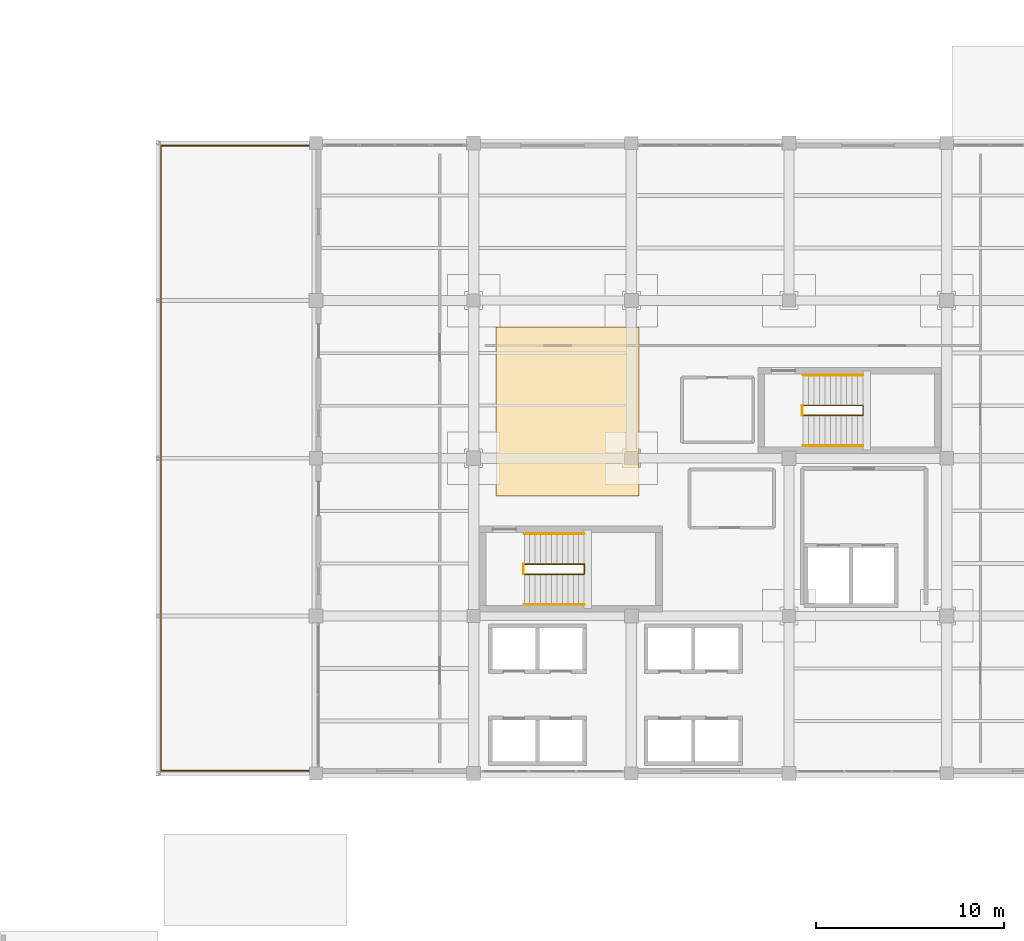
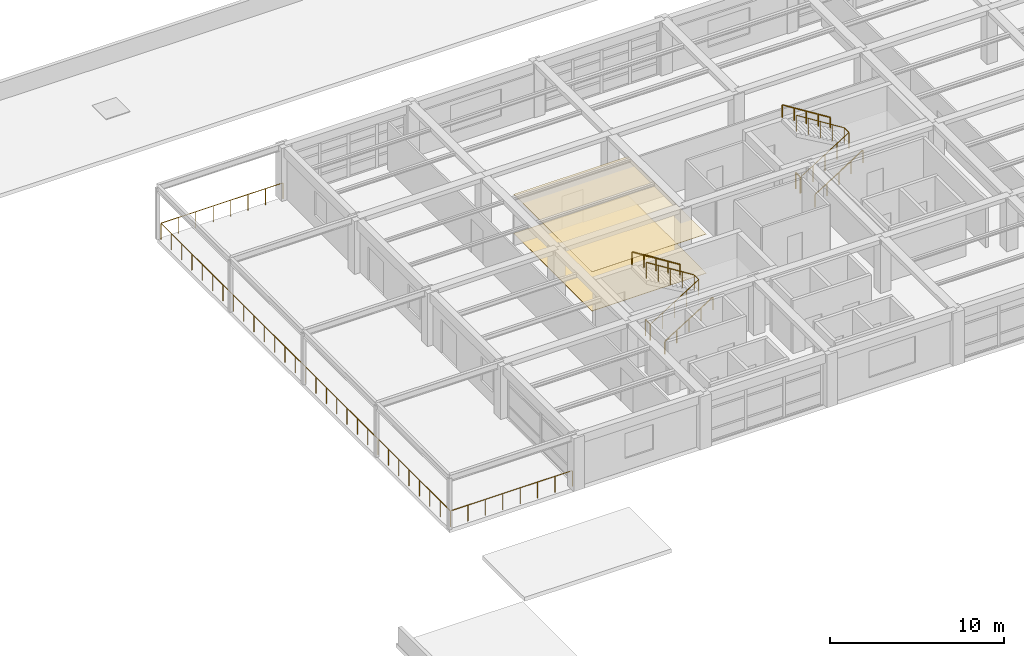
# One storey, part 35 of 35: 9 railings, 2 coverings.
"""IFC4 building model written with IfcOpenShell, lengths in metres."""

from ifc_helpers import new_model, si_unit, direction, frame, origin, origin_2d, place, context, subcontext, project, spatial, polyline, circle, outline, extrude, material, layer, layer_set, type_object, element, save


model = new_model("IFC4")

# Units and contexts
model_context = context("Model", 3, precision=1e-05, world=origin(), true_north=direction((0.0, 1.0)))
body_context = subcontext(model_context, "Body", "Model", "MODEL_VIEW")
ifc_project = project(units=[si_unit("LENGTHUNIT", "METRE"), si_unit("AREAUNIT", "SQUARE_METRE"), si_unit("VOLUMEUNIT", "CUBIC_METRE"), si_unit("PLANEANGLEUNIT", "RADIAN"), si_unit("MASSUNIT", "GRAM", prefix="KILO")], contexts=[model_context])

# Site, building, storey
site_placement = place(None, origin())
site = spatial("IfcSite", under=ifc_project, at=site_placement, CompositionType="ELEMENT")
building_placement = place(site_placement, origin())
building = spatial("IfcBuilding", under=site, at=building_placement, Name="Almacenes y Pasaje Nevantli", CompositionType="ELEMENT")
storey_placement = place(building_placement, frame((0.0, 0.0, 26.699951171875)))
storey = spatial("IfcBuildingStorey", under=building, at=storey_placement, Name="L06", CompositionType="ELEMENT", Elevation=26.699951171875)

# Coverings
ifc_material_1 = material(Name="Perforated Acoustic Mineral Fiber Ceiling", Category="gypsum")
ifc_layer_1 = layer(ifc_material_1, 0.02001953125)
ifc_layer_set_1 = layer_set([ifc_layer_1], Name="Perforated Acoustic Mineral Fiber Ceiling")
covering_type_1 = type_object("IfcCoveringType", Name="COV-CEIL-ACU", PredefinedType="CEILING", material=ifc_layer_set_1)
covering_1_placement = place(storey_placement, frame((0.0, 0.0, 2.75)))
element("IfcCovering", 1, at=covering_1_placement, inside=storey, type_object=covering_type_1, Name="L06 Suspended Acoustic Ceiling Panel", PredefinedType="CEILING", context=body_context, shape_type="SweptSolid", body=[
    extrude(outline(polyline([(118.800048828125, 82.0), (126.39990234375, 82.0), (126.39990234375, 91.0), (118.800048828125, 91.0), (118.800048828125, 82.0)])), origin(), (0.0, 0.0, 1.0), 0.02001953125),
])
ifc_material_2 = material(Name="Polished Toluca Stone Terrazzo Flooring", Category="masonry")
ifc_layer_2 = layer(ifc_material_2, 0.02490234375)
ifc_layer_set_2 = layer_set([ifc_layer_2], Name="Polished Toluca Stone Terrazzo Flooring")
covering_type_2 = type_object("IfcCoveringType", Name="COV-FLR-TERRAZZO", PredefinedType="FLOORING", material=ifc_layer_set_2)
covering_2_placement = place(storey_placement, origin())
element("IfcCovering", 2, at=covering_2_placement, inside=storey, type_object=covering_type_2, Name="L06 Polished Stone Terrazzo Floor Finish", PredefinedType="FLOORING", context=body_context, shape_type="SweptSolid", body=[
    extrude(outline(polyline([(118.800048828125, 82.0), (126.39990234375, 82.0), (126.39990234375, 91.0), (118.800048828125, 91.0), (118.800048828125, 82.0)])), origin(), (0.0, 0.0, 1.0), 0.025146484375),
])

# Railings
ifc_material_3 = material(Name="Brushed Stainless Steel and Tempered Safety Glass", Category="steel")
railing_type_1 = type_object("IfcRailingType", Name="RL-GUARD-1100", PredefinedType="BALUSTRADE", material=ifc_material_3)
railing_1_placement = place(storey_placement, frame((120.300048828125, 77.830078125, 0.0)))
element("IfcRailing", 3, at=railing_1_placement, inside=storey, type_object=railing_type_1, Name="L06 Stair ST-01 Inner Well Guard Balustrade", PredefinedType="BALUSTRADE", context=body_context, shape_type="SweptSolid", body=[
    extrude(circle(Radius=0.02392578125, at=origin_2d()), frame((0.025390625, 0.0, 1.141845703125), z_axis=(0.847247016309, 0.0, 0.531199108955), x_axis=(0.0, 1.0, 0.0)), (0.0, 0.0, 1.0), 3.705078125),
    extrude(circle(Radius=0.02392578125, at=origin_2d()), frame((3.18994140625, 0.030029296875, 3.1259765625), z_axis=(0.0, 1.0, 0.0), x_axis=(-1.0, 0.0, 0.0)), (0.0, 0.0, 1.0), 0.469970703125),
    extrude(circle(Radius=0.02392578125, at=origin_2d()), frame((3.16455078125, 0.530029296875, 3.141845703125), z_axis=(-0.847247016309, 0.0, 0.531199108955), x_axis=(0.0, -1.0, 0.0)), (0.0, 0.0, 1.0), 3.705078125),
    extrude(circle(Radius=0.02099609375, at=origin_2d()), origin(), (0.0, 0.0, 1.0), 1.096923828125),
    extrude(circle(Radius=0.02099609375, at=origin_2d()), frame((0.79736328125, 0.0, 0.5)), (0.0, 0.0, 1.0), 1.096923828125),
    extrude(circle(Radius=0.02099609375, at=origin_2d()), frame((1.594970703125, 0.0, 1.0)), (0.0, 0.0, 1.0), 1.096923828125),
    extrude(circle(Radius=0.02099609375, at=origin_2d()), frame((2.392578125, 0.0, 1.5)), (0.0, 0.0, 1.0), 1.096923828125),
    extrude(circle(Radius=0.02099609375, at=origin_2d()), frame((3.18994140625, 0.0, 2.0)), (0.0, 0.0, 1.0), 1.096923828125),
    extrude(circle(Radius=0.02099609375, at=origin_2d()), frame((3.18994140625, 0.530029296875, 2.0)), (0.0, 0.0, 1.0), 1.096923828125),
    extrude(circle(Radius=0.02099609375, at=origin_2d()), frame((2.392578125, 0.530029296875, 2.5)), (0.0, 0.0, 1.0), 1.096923828125),
    extrude(circle(Radius=0.02099609375, at=origin_2d()), frame((1.594970703125, 0.530029296875, 3.0)), (0.0, 0.0, 1.0), 1.096923828125),
    extrude(circle(Radius=0.02099609375, at=origin_2d()), frame((0.79736328125, 0.530029296875, 3.5)), (0.0, 0.0, 1.0), 1.096923828125),
    extrude(circle(Radius=0.02099609375, at=origin_2d()), frame((0.0, 0.530029296875, 4.0)), (0.0, 0.0, 1.0), 1.096923828125),
])
railing_2_placement = place(storey_placement, frame((120.260009765625, 77.830078125, 0.0)))
element("IfcRailing", 4, at=railing_2_placement, inside=storey, type_object=railing_type_1, Name="L06 Stair ST-01 Landing Well Slot Guard", PredefinedType="BALUSTRADE", context=body_context, shape_type="SweptSolid", body=[
    extrude(circle(Radius=0.02392578125, at=origin_2d()), frame((0.0, 0.030029296875, 1.1259765625), z_axis=(0.0, 1.0, 0.0), x_axis=(-1.0, 0.0, 0.0)), (0.0, 0.0, 1.0), 0.469970703125),
    extrude(circle(Radius=0.02099609375, at=origin_2d()), origin(), (0.0, 0.0, 1.0), 1.096923828125),
    extrude(circle(Radius=0.02099609375, at=origin_2d()), frame((0.0, 0.530029296875, 0.0)), (0.0, 0.0, 1.0), 1.096923828125),
])
railing_3_placement = place(storey_placement, frame((135.14990234375, 86.280029296875, 0.0)))
element("IfcRailing", 5, at=railing_3_placement, inside=storey, type_object=railing_type_1, Name="L06 Stair ST-02 Inner Well Guard Balustrade", PredefinedType="BALUSTRADE", context=body_context, shape_type="SweptSolid", body=[
    extrude(circle(Radius=0.02392578125, at=origin_2d()), frame((0.025390625, 0.0, 1.141845703125), z_axis=(0.847265311894, 0.0, 0.531169926918), x_axis=(0.0, 1.0, 0.0)), (0.0, 0.0, 1.0), 3.705322265625),
    extrude(circle(Radius=0.02392578125, at=origin_2d()), frame((3.190185546875, 0.030029296875, 3.1259765625), z_axis=(0.0, 1.0, 0.0), x_axis=(-1.0, 0.0, 0.0)), (0.0, 0.0, 1.0), 0.469970703125),
    extrude(circle(Radius=0.02392578125, at=origin_2d()), frame((3.164794921875, 0.530029296875, 3.141845703125), z_axis=(-0.847265311894, 0.0, 0.531169926918), x_axis=(0.0, -1.0, 0.0)), (0.0, 0.0, 1.0), 3.705322265625),
    extrude(circle(Radius=0.02099609375, at=origin_2d()), origin(), (0.0, 0.0, 1.0), 1.096923828125),
    extrude(circle(Radius=0.02099609375, at=origin_2d()), frame((0.797607421875, 0.0, 0.5)), (0.0, 0.0, 1.0), 1.096923828125),
    extrude(circle(Radius=0.02099609375, at=origin_2d()), frame((1.59521484375, 0.0, 1.0)), (0.0, 0.0, 1.0), 1.096923828125),
    extrude(circle(Radius=0.02099609375, at=origin_2d()), frame((2.392578125, 0.0, 1.5)), (0.0, 0.0, 1.0), 1.096923828125),
    extrude(circle(Radius=0.02099609375, at=origin_2d()), frame((3.190185546875, 0.0, 2.0)), (0.0, 0.0, 1.0), 1.096923828125),
    extrude(circle(Radius=0.02099609375, at=origin_2d()), frame((3.190185546875, 0.530029296875, 2.0)), (0.0, 0.0, 1.0), 1.096923828125),
    extrude(circle(Radius=0.02099609375, at=origin_2d()), frame((2.392578125, 0.530029296875, 2.5)), (0.0, 0.0, 1.0), 1.096923828125),
    extrude(circle(Radius=0.02099609375, at=origin_2d()), frame((1.59521484375, 0.530029296875, 3.0)), (0.0, 0.0, 1.0), 1.096923828125),
    extrude(circle(Radius=0.02099609375, at=origin_2d()), frame((0.797607421875, 0.530029296875, 3.5)), (0.0, 0.0, 1.0), 1.096923828125),
    extrude(circle(Radius=0.02099609375, at=origin_2d()), frame((0.0, 0.530029296875, 4.0)), (0.0, 0.0, 1.0), 1.096923828125),
])
railing_4_placement = place(storey_placement, frame((135.110107421875, 86.280029296875, 0.0)))
element("IfcRailing", 6, at=railing_4_placement, inside=storey, type_object=railing_type_1, Name="L06 Stair ST-02 Landing Well Slot Guard", PredefinedType="BALUSTRADE", context=body_context, shape_type="SweptSolid", body=[
    extrude(circle(Radius=0.02392578125, at=origin_2d()), frame((0.0, 0.030029296875, 1.1259765625), z_axis=(0.0, 1.0, 0.0), x_axis=(-1.0, 0.0, 0.0)), (0.0, 0.0, 1.0), 0.469970703125),
    extrude(circle(Radius=0.02099609375, at=origin_2d()), origin(), (0.0, 0.0, 1.0), 1.096923828125),
    extrude(circle(Radius=0.02099609375, at=origin_2d()), frame((0.0, 0.530029296875, 0.0)), (0.0, 0.0, 1.0), 1.096923828125),
])
ifc_material_4 = material(Name="Brushed Stainless Steel Tube", Category="steel")
railing_type_2 = type_object("IfcRailingType", Name="RL-HANDRAIL-900", PredefinedType="HANDRAIL", material=ifc_material_4)
railing_5_placement = place(storey_placement, frame((120.300048828125, 76.2099609375, 0.0)))
element("IfcRailing", 7, at=railing_5_placement, inside=storey, type_object=railing_type_2, Name="L06 Stair ST-01 Lower Flight Handrail", PredefinedType="HANDRAIL", context=body_context, shape_type="SweptSolid", body=[
    extrude(circle(Radius=0.02392578125, at=origin_2d()), frame((0.025390625, 0.0, 0.891845703125), z_axis=(0.847247016309, 0.0, 0.531199108955), x_axis=(0.0, 1.0, 0.0)), (0.0, 0.0, 1.0), 3.705078125),
    extrude(circle(Radius=0.02099609375, at=origin_2d()), origin(), (0.0, 0.0, 1.0), 0.846923828125),
    extrude(circle(Radius=0.02099609375, at=origin_2d()), frame((0.79736328125, 0.0, 0.5)), (0.0, 0.0, 1.0), 0.846923828125),
    extrude(circle(Radius=0.02099609375, at=origin_2d()), frame((1.594970703125, 0.0, 1.0)), (0.0, 0.0, 1.0), 0.846923828125),
    extrude(circle(Radius=0.02099609375, at=origin_2d()), frame((2.392578125, 0.0, 1.5)), (0.0, 0.0, 1.0), 0.846923828125),
    extrude(circle(Radius=0.02099609375, at=origin_2d()), frame((3.18994140625, 0.0, 2.0)), (0.0, 0.0, 1.0), 0.846923828125),
])
railing_6_placement = place(storey_placement, frame((123.489990234375, 79.97998046875, 2.0)))
element("IfcRailing", 8, at=railing_6_placement, inside=storey, type_object=railing_type_2, Name="L06 Stair ST-01 Upper Flight Handrail", PredefinedType="HANDRAIL", context=body_context, shape_type="SweptSolid", body=[
    extrude(circle(Radius=0.02392578125, at=origin_2d()), frame((-0.025390625, 0.0, 0.891845703125), z_axis=(-0.847247016309, 0.0, 0.531199108955), x_axis=(0.0, -1.0, 0.0)), (0.0, 0.0, 1.0), 3.705078125),
    extrude(circle(Radius=0.02099609375, at=origin_2d()), origin(), (0.0, 0.0, 1.0), 0.846923828125),
    extrude(circle(Radius=0.02099609375, at=origin_2d()), frame((-0.79736328125, 0.0, 0.5)), (0.0, 0.0, 1.0), 0.846923828125),
    extrude(circle(Radius=0.02099609375, at=origin_2d()), frame((-1.594970703125, 0.0, 1.0)), (0.0, 0.0, 1.0), 0.846923828125),
    extrude(circle(Radius=0.02099609375, at=origin_2d()), frame((-2.392578125, 0.0, 1.5)), (0.0, 0.0, 1.0), 0.846923828125),
    extrude(circle(Radius=0.02099609375, at=origin_2d()), frame((-3.18994140625, 0.0, 2.0)), (0.0, 0.0, 1.0), 0.846923828125),
])
railing_7_placement = place(storey_placement, frame((135.14990234375, 84.659912109375, 0.0)))
element("IfcRailing", 9, at=railing_7_placement, inside=storey, type_object=railing_type_2, Name="L06 Stair ST-02 Lower Flight Handrail", PredefinedType="HANDRAIL", context=body_context, shape_type="SweptSolid", body=[
    extrude(circle(Radius=0.02392578125, at=origin_2d()), frame((0.025390625, 0.0, 0.891845703125), z_axis=(0.847265311894, 0.0, 0.531169926918), x_axis=(0.0, 1.0, 0.0)), (0.0, 0.0, 1.0), 3.705322265625),
    extrude(circle(Radius=0.02099609375, at=origin_2d()), origin(), (0.0, 0.0, 1.0), 0.846923828125),
    extrude(circle(Radius=0.02099609375, at=origin_2d()), frame((0.797607421875, 0.0, 0.5)), (0.0, 0.0, 1.0), 0.846923828125),
    extrude(circle(Radius=0.02099609375, at=origin_2d()), frame((1.59521484375, 0.0, 1.0)), (0.0, 0.0, 1.0), 0.846923828125),
    extrude(circle(Radius=0.02099609375, at=origin_2d()), frame((2.392578125, 0.0, 1.5)), (0.0, 0.0, 1.0), 0.846923828125),
    extrude(circle(Radius=0.02099609375, at=origin_2d()), frame((3.190185546875, 0.0, 2.0)), (0.0, 0.0, 1.0), 0.846923828125),
])
railing_8_placement = place(storey_placement, frame((138.340087890625, 88.429931640625, 2.0)))
element("IfcRailing", 10, at=railing_8_placement, inside=storey, type_object=railing_type_2, Name="L06 Stair ST-02 Upper Flight Handrail", PredefinedType="HANDRAIL", context=body_context, shape_type="SweptSolid", body=[
    extrude(circle(Radius=0.02392578125, at=origin_2d()), frame((-0.025390625, 0.0, 0.891845703125), z_axis=(-0.847265311894, 0.0, 0.531169926918), x_axis=(0.0, -1.0, 0.0)), (0.0, 0.0, 1.0), 3.705322265625),
    extrude(circle(Radius=0.02099609375, at=origin_2d()), origin(), (0.0, 0.0, 1.0), 0.846923828125),
    extrude(circle(Radius=0.02099609375, at=origin_2d()), frame((-0.797607421875, 0.0, 0.5)), (0.0, 0.0, 1.0), 0.846923828125),
    extrude(circle(Radius=0.02099609375, at=origin_2d()), frame((-1.59521484375, 0.0, 1.0)), (0.0, 0.0, 1.0), 0.846923828125),
    extrude(circle(Radius=0.02099609375, at=origin_2d()), frame((-2.392578125, 0.0, 1.5)), (0.0, 0.0, 1.0), 0.846923828125),
    extrude(circle(Radius=0.02099609375, at=origin_2d()), frame((-3.190185546875, 0.0, 2.0)), (0.0, 0.0, 1.0), 0.846923828125),
])
ifc_material_5 = material(Name="Tempered Safety Glass and Stainless Steel", Category="steel")
railing_type_3 = type_object("IfcRailingType", Name="RL-TERRACE-1100", PredefinedType="BALUSTRADE", material=ifc_material_5)
railing_9_placement = place(storey_placement, frame((109.050048828125, 100.64990234375, 0.0)))
element("IfcRailing", 11, at=railing_9_placement, inside=storey, type_object=railing_type_3, Name="L06 Upper Ziggurat Roof Terrace Perimeter Guard Balustrade", PredefinedType="BALUSTRADE", context=body_context, shape_type="SweptSolid", body=[
    extrude(circle(Radius=0.02392578125, at=origin_2d()), frame((-0.030029296875, 0.0, 1.1259765625), z_axis=(-1.0, 0.0, 0.0), x_axis=(0.0, -1.0, 0.0)), (0.0, 0.0, 1.0), 8.0400390625),
    extrude(circle(Radius=0.02392578125, at=origin_2d()), frame((-8.10009765625, -0.030029296875, 1.1259765625), z_axis=(0.0, -1.0, 0.0), x_axis=(1.0, 0.0, 0.0)), (0.0, 0.0, 1.0), 33.23974609375),
    extrude(circle(Radius=0.02392578125, at=origin_2d()), frame((-8.070068359375, -33.2998046875, 1.1259765625), z_axis=(1.0, 0.0, 0.0), x_axis=(0.0, 1.0, 0.0)), (0.0, 0.0, 1.0), 8.0400390625),
    extrude(circle(Radius=0.02099609375, at=origin_2d()), origin(), (0.0, 0.0, 1.0), 1.096923828125),
    extrude(circle(Radius=0.02099609375, at=origin_2d()), frame((-1.1572265625, 0.0, 0.0)), (0.0, 0.0, 1.0), 1.096923828125),
    extrude(circle(Radius=0.02099609375, at=origin_2d()), frame((-2.314208984375, 0.0, 0.0)), (0.0, 0.0, 1.0), 1.096923828125),
    extrude(circle(Radius=0.02099609375, at=origin_2d()), frame((-3.471435546875, 0.0, 0.0)), (0.0, 0.0, 1.0), 1.096923828125),
    extrude(circle(Radius=0.02099609375, at=origin_2d()), frame((-4.628662109375, 0.0, 0.0)), (0.0, 0.0, 1.0), 1.096923828125),
    extrude(circle(Radius=0.02099609375, at=origin_2d()), frame((-5.785888671875, 0.0, 0.0)), (0.0, 0.0, 1.0), 1.096923828125),
    extrude(circle(Radius=0.02099609375, at=origin_2d()), frame((-6.94287109375, 0.0, 0.0)), (0.0, 0.0, 1.0), 1.096923828125),
    extrude(circle(Radius=0.02099609375, at=origin_2d()), frame((-8.10009765625, 0.0, 0.0)), (0.0, 0.0, 1.0), 1.096923828125),
    extrude(circle(Radius=0.02099609375, at=origin_2d()), frame((-8.10009765625, -1.189208984375, 0.0)), (0.0, 0.0, 1.0), 1.096923828125),
    extrude(circle(Radius=0.02099609375, at=origin_2d()), frame((-8.10009765625, -2.378662109375, 0.0)), (0.0, 0.0, 1.0), 1.096923828125),
    extrude(circle(Radius=0.02099609375, at=origin_2d()), frame((-8.10009765625, -3.56787109375, 0.0)), (0.0, 0.0, 1.0), 1.096923828125),
    extrude(circle(Radius=0.02099609375, at=origin_2d()), frame((-8.10009765625, -4.757080078125, 0.0)), (0.0, 0.0, 1.0), 1.096923828125),
    extrude(circle(Radius=0.02099609375, at=origin_2d()), frame((-8.10009765625, -5.9462890625, 0.0)), (0.0, 0.0, 1.0), 1.096923828125),
    extrude(circle(Radius=0.02099609375, at=origin_2d()), frame((-8.10009765625, -7.1357421875, 0.0)), (0.0, 0.0, 1.0), 1.096923828125),
    extrude(circle(Radius=0.02099609375, at=origin_2d()), frame((-8.10009765625, -8.324951171875, 0.0)), (0.0, 0.0, 1.0), 1.096923828125),
    extrude(circle(Radius=0.02099609375, at=origin_2d()), frame((-8.10009765625, -9.51416015625, 0.0)), (0.0, 0.0, 1.0), 1.096923828125),
    extrude(circle(Radius=0.02099609375, at=origin_2d()), frame((-8.10009765625, -10.70361328125, 0.0)), (0.0, 0.0, 1.0), 1.096923828125),
    extrude(circle(Radius=0.02099609375, at=origin_2d()), frame((-8.10009765625, -11.892822265625, 0.0)), (0.0, 0.0, 1.0), 1.096923828125),
    extrude(circle(Radius=0.02099609375, at=origin_2d()), frame((-8.10009765625, -13.08203125, 0.0)), (0.0, 0.0, 1.0), 1.096923828125),
    extrude(circle(Radius=0.02099609375, at=origin_2d()), frame((-8.10009765625, -14.271240234375, 0.0)), (0.0, 0.0, 1.0), 1.096923828125),
    extrude(circle(Radius=0.02099609375, at=origin_2d()), frame((-8.10009765625, -15.460693359375, 0.0)), (0.0, 0.0, 1.0), 1.096923828125),
    extrude(circle(Radius=0.02099609375, at=origin_2d()), frame((-8.10009765625, -16.64990234375, 0.0)), (0.0, 0.0, 1.0), 1.096923828125),
    extrude(circle(Radius=0.02099609375, at=origin_2d()), frame((-8.10009765625, -17.839111328125, 0.0)), (0.0, 0.0, 1.0), 1.096923828125),
    extrude(circle(Radius=0.02099609375, at=origin_2d()), frame((-8.10009765625, -19.028564453125, 0.0)), (0.0, 0.0, 1.0), 1.096923828125),
    extrude(circle(Radius=0.02099609375, at=origin_2d()), frame((-8.10009765625, -20.2177734375, 0.0)), (0.0, 0.0, 1.0), 1.096923828125),
    extrude(circle(Radius=0.02099609375, at=origin_2d()), frame((-8.10009765625, -21.406982421875, 0.0)), (0.0, 0.0, 1.0), 1.096923828125),
    extrude(circle(Radius=0.02099609375, at=origin_2d()), frame((-8.10009765625, -22.59619140625, 0.0)), (0.0, 0.0, 1.0), 1.096923828125),
    extrude(circle(Radius=0.02099609375, at=origin_2d()), frame((-8.10009765625, -23.78564453125, 0.0)), (0.0, 0.0, 1.0), 1.096923828125),
    extrude(circle(Radius=0.02099609375, at=origin_2d()), frame((-8.10009765625, -24.974853515625, 0.0)), (0.0, 0.0, 1.0), 1.096923828125),
    extrude(circle(Radius=0.02099609375, at=origin_2d()), frame((-8.10009765625, -26.1640625, 0.0)), (0.0, 0.0, 1.0), 1.096923828125),
    extrude(circle(Radius=0.02099609375, at=origin_2d()), frame((-8.10009765625, -27.353515625, 0.0)), (0.0, 0.0, 1.0), 1.096923828125),
    extrude(circle(Radius=0.02099609375, at=origin_2d()), frame((-8.10009765625, -28.542724609375, 0.0)), (0.0, 0.0, 1.0), 1.096923828125),
    extrude(circle(Radius=0.02099609375, at=origin_2d()), frame((-8.10009765625, -29.73193359375, 0.0)), (0.0, 0.0, 1.0), 1.096923828125),
    extrude(circle(Radius=0.02099609375, at=origin_2d()), frame((-8.10009765625, -30.921142578125, 0.0)), (0.0, 0.0, 1.0), 1.096923828125),
    extrude(circle(Radius=0.02099609375, at=origin_2d()), frame((-8.10009765625, -32.110595703125, 0.0)), (0.0, 0.0, 1.0), 1.096923828125),
    extrude(circle(Radius=0.02099609375, at=origin_2d()), frame((-8.10009765625, -33.2998046875, 0.0)), (0.0, 0.0, 1.0), 1.096923828125),
    extrude(circle(Radius=0.02099609375, at=origin_2d()), frame((-6.94287109375, -33.2998046875, 0.0)), (0.0, 0.0, 1.0), 1.096923828125),
    extrude(circle(Radius=0.02099609375, at=origin_2d()), frame((-5.785888671875, -33.2998046875, 0.0)), (0.0, 0.0, 1.0), 1.096923828125),
    extrude(circle(Radius=0.02099609375, at=origin_2d()), frame((-4.628662109375, -33.2998046875, 0.0)), (0.0, 0.0, 1.0), 1.096923828125),
    extrude(circle(Radius=0.02099609375, at=origin_2d()), frame((-3.471435546875, -33.2998046875, 0.0)), (0.0, 0.0, 1.0), 1.096923828125),
    extrude(circle(Radius=0.02099609375, at=origin_2d()), frame((-2.314208984375, -33.2998046875, 0.0)), (0.0, 0.0, 1.0), 1.096923828125),
    extrude(circle(Radius=0.02099609375, at=origin_2d()), frame((-1.1572265625, -33.2998046875, 0.0)), (0.0, 0.0, 1.0), 1.096923828125),
    extrude(circle(Radius=0.02099609375, at=origin_2d()), frame((0.0, -33.2998046875, 0.0)), (0.0, 0.0, 1.0), 1.096923828125),
])

save(model, "model.ifc")
